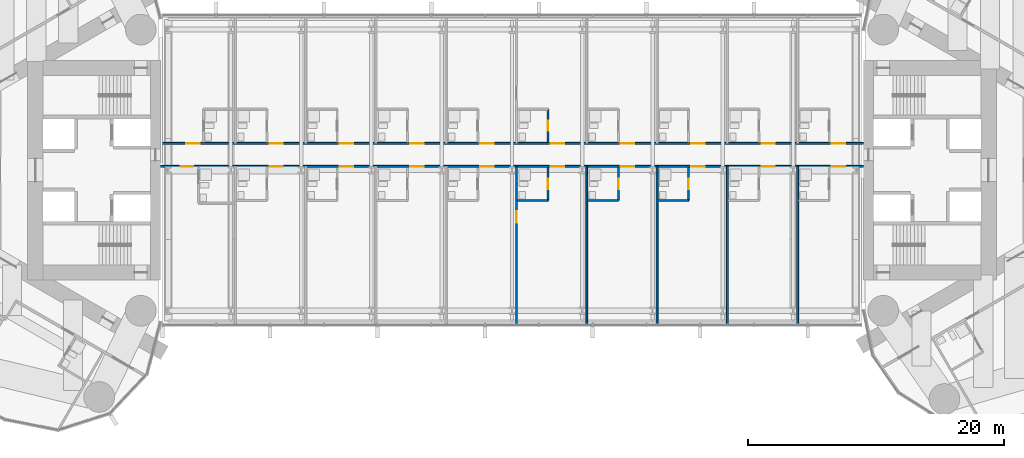
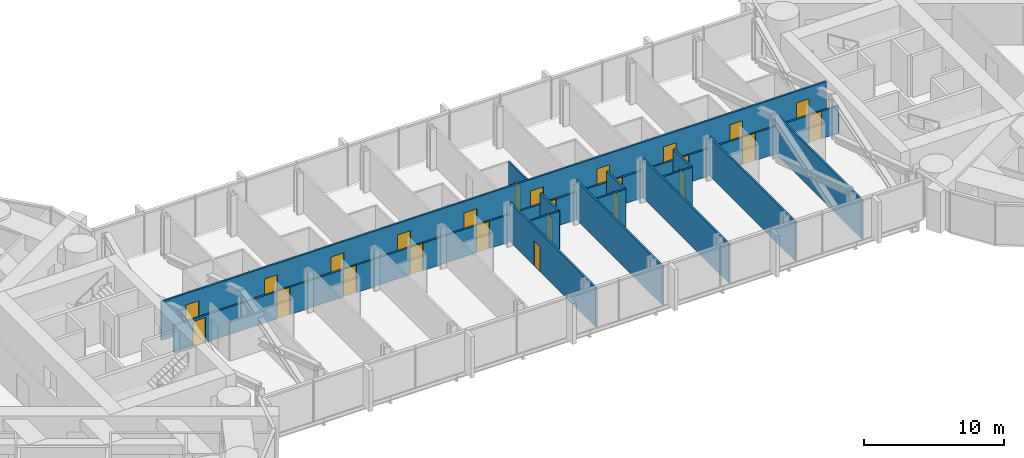
# One storey, part 17 of 23: 25 doors, 14 walls, 25 openings.
"""IFC4 building model written with IfcOpenShell, lengths in metres."""

from ifc_helpers import new_model, si_unit, direction, frame, frame_2d, origin, place, context, subcontext, project, spatial, rectangle, extrude, material, layer, layer_set, type_object, element, fill, save


model = new_model("IFC4")

# Units and contexts
model_context = context("Model", 3, precision=1e-05, world=origin(), true_north=direction((0.0, 1.0)))
body_context = subcontext(model_context, "Body", "Model", "MODEL_VIEW")
ifc_project = project(units=[si_unit("LENGTHUNIT", "METRE"), si_unit("AREAUNIT", "SQUARE_METRE"), si_unit("VOLUMEUNIT", "CUBIC_METRE"), si_unit("PLANEANGLEUNIT", "RADIAN"), si_unit("MASSUNIT", "GRAM", prefix="KILO")], contexts=[model_context])

# Site, building, storey
site_placement = place(None, origin())
site = spatial("IfcSite", under=ifc_project, at=site_placement, CompositionType="ELEMENT")
building_placement = place(site_placement, origin())
building = spatial("IfcBuilding", under=site, at=building_placement, Name="Lancet Gate Hotel", CompositionType="ELEMENT")
storey_placement = place(building_placement, frame((0.0, 0.0, 218.89990234375)))
storey = spatial("IfcBuildingStorey", under=building, at=storey_placement, Name="L58", CompositionType="ELEMENT", Elevation=218.89990234375)

# Wall
ifc_material_1 = material(Name="Moisture resistant board partition")
ifc_layer_1 = layer(ifc_material_1, 0.14990234375)
ifc_layer_set_1 = layer_set([ifc_layer_1], Name="Bathroom wall 150")
wall_type_1 = type_object("IfcWallType", Name="Bathroom wall 150", PredefinedType="PARTITIONING", material=ifc_layer_set_1)
wall_1_placement = place(storey_placement, frame((0.425048828125, -2.375, 0.0), z_axis=(0.0, 0.0, 1.0), x_axis=(1.0, 0.0, 0.0)))
element("IfcWall", 1, at=wall_1_placement, inside=storey, type_object=wall_type_1, Name="Bridge block bathroom wall 150 L58", PredefinedType="PARTITIONING", context=body_context, shape_type="SweptSolid", body=[
    extrude(rectangle(XDim=2.39990234375, YDim=0.14990234375, at=frame_2d((1.199951171875, 0.0))), origin(), (0.0, 0.0, 1.0), 3.400146484375),
])

# Wall, opening, door
wall_2_placement = place(storey_placement, frame((2.824951171875, -2.375, 0.0), z_axis=(0.0, 0.0, 1.0), x_axis=(0.0, 1.0, 0.0)))
wall_2 = element("IfcWall", 2, at=wall_2_placement, inside=storey, type_object=wall_type_1, Name="Bridge block bathroom wall 150 L58", PredefinedType="PARTITIONING", context=body_context, shape_type="SweptSolid", body=[
    extrude(rectangle(XDim=2.60009765625, YDim=0.14990234375, at=frame_2d((1.300048828125, 0.0))), origin(), (0.0, 0.0, 1.0), 3.400146484375),
])
opening_1_placement = place(wall_2_placement, frame((0.89990234375, 0.0, 0.0)))
opening_1 = element("IfcOpeningElement", 3, at=opening_1_placement, cuts=wall_2, Name="Opening B5806-B", PredefinedType="OPENING", context=body_context, shape_type="SweptSolid", body=[
    extrude(rectangle(XDim=0.800048828125, YDim=2.199951171875, at=frame_2d((0.39990234375, 1.10009765625))), frame((0.0, 0.0849609375, 0.0), z_axis=(0.0, -1.0, 0.0), x_axis=(1.0, 0.0, 0.0)), (0.0, 0.0, 1.0), 0.169921875),
])
ifc_material_2 = material(Name="Timber door set", Category="wood")
door_type_1 = type_object("IfcDoorType", Name="Bathroom door 800", OperationType="SINGLE_SWING_RIGHT", PredefinedType="DOOR", material=ifc_material_2)
door_1_placement = place(opening_1_placement, origin())
door_1 = element("IfcDoor", 4, at=door_1_placement, inside=storey, type_object=door_type_1, Name="B5806-B", OperationType="SINGLE_SWING_RIGHT", OverallHeight=2.199951171875, OverallWidth=0.800048828125, PredefinedType="DOOR", context=body_context, shape_type="SweptSolid", body=[
    extrude(rectangle(XDim=0.800048828125, YDim=2.199951171875, at=frame_2d((0.39990234375, 1.10009765625))), frame((0.0, 0.02490234375, 0.0), z_axis=(0.0, -1.0, 0.0), x_axis=(1.0, 0.0, 0.0)), (0.0, 0.0, 1.0), 0.050048828125),
])
fill(opening_1, door_1)

# Wall
wall_3_placement = place(storey_placement, frame((5.925048828125, -2.375, 0.0), z_axis=(0.0, 0.0, 1.0), x_axis=(1.0, 0.0, 0.0)))
element("IfcWall", 5, at=wall_3_placement, inside=storey, type_object=wall_type_1, Name="Bridge block bathroom wall 150 L58", PredefinedType="PARTITIONING", context=body_context, shape_type="SweptSolid", body=[
    extrude(rectangle(XDim=2.39990234375, YDim=0.14990234375, at=frame_2d((1.199951171875, 0.0))), origin(), (0.0, 0.0, 1.0), 3.400146484375),
])

# Wall, opening, door
wall_4_placement = place(storey_placement, frame((8.324951171875, -2.375, 0.0), z_axis=(0.0, 0.0, 1.0), x_axis=(0.0, 1.0, 0.0)))
wall_4 = element("IfcWall", 6, at=wall_4_placement, inside=storey, type_object=wall_type_1, Name="Bridge block bathroom wall 150 L58", PredefinedType="PARTITIONING", context=body_context, shape_type="SweptSolid", body=[
    extrude(rectangle(XDim=2.60009765625, YDim=0.14990234375, at=frame_2d((1.300048828125, 0.0))), origin(), (0.0, 0.0, 1.0), 3.400146484375),
])
opening_2_placement = place(wall_4_placement, frame((0.89990234375, 0.0, 0.0)))
opening_2 = element("IfcOpeningElement", 7, at=opening_2_placement, cuts=wall_4, Name="Opening B5807-B", PredefinedType="OPENING", context=body_context, shape_type="SweptSolid", body=[
    extrude(rectangle(XDim=0.800048828125, YDim=2.199951171875, at=frame_2d((0.39990234375, 1.10009765625))), frame((0.0, 0.0849609375, 0.0), z_axis=(0.0, -1.0, 0.0), x_axis=(1.0, 0.0, 0.0)), (0.0, 0.0, 1.0), 0.169921875),
])
door_2_placement = place(opening_2_placement, origin())
door_2 = element("IfcDoor", 8, at=door_2_placement, inside=storey, type_object=door_type_1, Name="B5807-B", OperationType="SINGLE_SWING_RIGHT", OverallHeight=2.199951171875, OverallWidth=0.800048828125, PredefinedType="DOOR", context=body_context, shape_type="SweptSolid", body=[
    extrude(rectangle(XDim=0.800048828125, YDim=2.199951171875, at=frame_2d((0.39990234375, 1.10009765625))), frame((0.0, 0.02490234375, 0.0), z_axis=(0.0, -1.0, 0.0), x_axis=(1.0, 0.0, 0.0)), (0.0, 0.0, 1.0), 0.050048828125),
])
fill(opening_2, door_2)

# Wall
wall_5_placement = place(storey_placement, frame((11.425048828125, -2.375, 0.0), z_axis=(0.0, 0.0, 1.0), x_axis=(1.0, 0.0, 0.0)))
element("IfcWall", 9, at=wall_5_placement, inside=storey, type_object=wall_type_1, Name="Bridge block bathroom wall 150 L58", PredefinedType="PARTITIONING", context=body_context, shape_type="SweptSolid", body=[
    extrude(rectangle(XDim=2.39990234375, YDim=0.14990234375, at=frame_2d((1.199951171875, 0.0))), origin(), (0.0, 0.0, 1.0), 3.400146484375),
])

# Wall, opening, door
wall_6_placement = place(storey_placement, frame((13.824951171875, -2.375, 0.0), z_axis=(0.0, 0.0, 1.0), x_axis=(0.0, 1.0, 0.0)))
wall_6 = element("IfcWall", 10, at=wall_6_placement, inside=storey, type_object=wall_type_1, Name="Bridge block bathroom wall 150 L58", PredefinedType="PARTITIONING", context=body_context, shape_type="SweptSolid", body=[
    extrude(rectangle(XDim=2.60009765625, YDim=0.14990234375, at=frame_2d((1.300048828125, 0.0))), origin(), (0.0, 0.0, 1.0), 3.400146484375),
])
opening_3_placement = place(wall_6_placement, frame((0.89990234375, 0.0, 0.0)))
opening_3 = element("IfcOpeningElement", 11, at=opening_3_placement, cuts=wall_6, Name="Opening B5808-B", PredefinedType="OPENING", context=body_context, shape_type="SweptSolid", body=[
    extrude(rectangle(XDim=0.800048828125, YDim=2.199951171875, at=frame_2d((0.39990234375, 1.10009765625))), frame((0.0, 0.0849609375, 0.0), z_axis=(0.0, -1.0, 0.0), x_axis=(1.0, 0.0, 0.0)), (0.0, 0.0, 1.0), 0.169921875),
])
door_3_placement = place(opening_3_placement, origin())
door_3 = element("IfcDoor", 12, at=door_3_placement, inside=storey, type_object=door_type_1, Name="B5808-B", OperationType="SINGLE_SWING_RIGHT", OverallHeight=2.199951171875, OverallWidth=0.800048828125, PredefinedType="DOOR", context=body_context, shape_type="SweptSolid", body=[
    extrude(rectangle(XDim=0.800048828125, YDim=2.199951171875, at=frame_2d((0.39990234375, 1.10009765625))), frame((0.0, 0.02490234375, 0.0), z_axis=(0.0, -1.0, 0.0), x_axis=(1.0, 0.0, 0.0)), (0.0, 0.0, 1.0), 0.050048828125),
])
fill(opening_3, door_3)

wall_7_placement = place(storey_placement, frame((2.824951171875, 2.175048828125, 0.0), z_axis=(0.0, 0.0, 1.0), x_axis=(0.0, 1.0, 0.0)))
wall_7 = element("IfcWall", 13, at=wall_7_placement, inside=storey, type_object=wall_type_1, Name="Bridge block bathroom wall 150 L58", PredefinedType="PARTITIONING", context=body_context, shape_type="SweptSolid", body=[
    extrude(rectangle(XDim=2.599853515625, YDim=0.14990234375, at=frame_2d((1.2998046875, 0.0))), origin(), (0.0, 0.0, 1.0), 3.400146484375),
])
opening_4_placement = place(wall_7_placement, frame((0.89990234375, 0.0, 0.0)))
opening_4 = element("IfcOpeningElement", 14, at=opening_4_placement, cuts=wall_7, Name="Opening B5816-B", PredefinedType="OPENING", context=body_context, shape_type="SweptSolid", body=[
    extrude(rectangle(XDim=0.800048828125, YDim=2.199951171875, at=frame_2d((0.39990234375, 1.10009765625))), frame((0.0, 0.0849609375, 0.0), z_axis=(0.0, -1.0, 0.0), x_axis=(1.0, 0.0, 0.0)), (0.0, 0.0, 1.0), 0.169921875),
])
door_4_placement = place(opening_4_placement, origin())
door_4 = element("IfcDoor", 15, at=door_4_placement, inside=storey, type_object=door_type_1, Name="B5816-B", OperationType="SINGLE_SWING_RIGHT", OverallHeight=2.199951171875, OverallWidth=0.800048828125, PredefinedType="DOOR", context=body_context, shape_type="SweptSolid", body=[
    extrude(rectangle(XDim=0.800048828125, YDim=2.199951171875, at=frame_2d((0.39990234375, 1.10009765625))), frame((0.0, 0.02490234375, 0.0), z_axis=(0.0, -1.0, 0.0), x_axis=(1.0, 0.0, 0.0)), (0.0, 0.0, 1.0), 0.050048828125),
])
fill(opening_4, door_4)

# Wall, openings, doors
ifc_material_3 = material(Name="Gypsum board partition")
ifc_layer_2 = layer(ifc_material_3, 0.14990234375)
ifc_layer_set_2 = layer_set([ifc_layer_2], Name="Block corridor wall 150")
wall_type_2 = type_object("IfcWallType", Name="Block corridor wall 150", PredefinedType="PARTITIONING", material=ifc_layer_set_2)
wall_8_placement = place(storey_placement, frame((-27.5, 0.300048828125, 0.0), z_axis=(0.0, 0.0, 1.0), x_axis=(1.0, 0.0, 0.0)))
wall_8 = element("IfcWall", 16, at=wall_8_placement, inside=storey, type_object=wall_type_2, Name="Bridge block block corridor wall 150 L58", PredefinedType="PARTITIONING", context=body_context, shape_type="SweptSolid", body=[
    extrude(rectangle(XDim=55.0, YDim=0.14990234375, at=frame_2d((27.5, 0.0))), origin(), (0.0, 0.0, 1.0), 2.400146484375),
])
opening_5_placement = place(wall_8_placement, frame((1.574951171875, 0.0, 0.0)))
opening_5 = element("IfcOpeningElement", 17, at=opening_5_placement, cuts=wall_8, Name="Opening B5801", PredefinedType="OPENING", context=body_context, shape_type="SweptSolid", body=[
    extrude(rectangle(XDim=1.0, YDim=2.199951171875, at=frame_2d((0.5, 1.10009765625))), frame((0.0, 0.0849609375, 0.0), z_axis=(0.0, -1.0, 0.0), x_axis=(1.0, 0.0, 0.0)), (0.0, 0.0, 1.0), 0.169921875),
])
opening_6_placement = place(wall_8_placement, frame((8.52490234375, 0.0, 0.0)))
opening_6 = element("IfcOpeningElement", 18, at=opening_6_placement, cuts=wall_8, Name="Opening B5802", PredefinedType="OPENING", context=body_context, shape_type="SweptSolid", body=[
    extrude(rectangle(XDim=1.050048828125, YDim=2.39990234375, at=frame_2d((0.52490234375, 1.199951171875))), frame((0.0, 0.0849609375, 0.0), z_axis=(0.0, -1.0, 0.0), x_axis=(1.0, 0.0, 0.0)), (0.0, 0.0, 1.0), 0.169921875),
])
opening_7_placement = place(wall_8_placement, frame((14.02490234375, 0.0, 0.0)))
opening_7 = element("IfcOpeningElement", 19, at=opening_7_placement, cuts=wall_8, Name="Opening B5803", PredefinedType="OPENING", context=body_context, shape_type="SweptSolid", body=[
    extrude(rectangle(XDim=1.050048828125, YDim=2.39990234375, at=frame_2d((0.52490234375, 1.199951171875))), frame((0.0, 0.0849609375, 0.0), z_axis=(0.0, -1.0, 0.0), x_axis=(1.0, 0.0, 0.0)), (0.0, 0.0, 1.0), 0.169921875),
])
opening_8_placement = place(wall_8_placement, frame((19.52490234375, 0.0, 0.0)))
opening_8 = element("IfcOpeningElement", 20, at=opening_8_placement, cuts=wall_8, Name="Opening B5804", PredefinedType="OPENING", context=body_context, shape_type="SweptSolid", body=[
    extrude(rectangle(XDim=1.050048828125, YDim=2.39990234375, at=frame_2d((0.52490234375, 1.199951171875))), frame((0.0, 0.0849609375, 0.0), z_axis=(0.0, -1.0, 0.0), x_axis=(1.0, 0.0, 0.0)), (0.0, 0.0, 1.0), 0.169921875),
])
opening_9_placement = place(wall_8_placement, frame((25.02490234375, 0.0, 0.0)))
opening_9 = element("IfcOpeningElement", 21, at=opening_9_placement, cuts=wall_8, Name="Opening B5805", PredefinedType="OPENING", context=body_context, shape_type="SweptSolid", body=[
    extrude(rectangle(XDim=1.050048828125, YDim=2.39990234375, at=frame_2d((0.52490234375, 1.199951171875))), frame((0.0, 0.0849609375, 0.0), z_axis=(0.0, -1.0, 0.0), x_axis=(1.0, 0.0, 0.0)), (0.0, 0.0, 1.0), 0.169921875),
])
opening_10_placement = place(wall_8_placement, frame((30.52490234375, 0.0, 0.0)))
opening_10 = element("IfcOpeningElement", 22, at=opening_10_placement, cuts=wall_8, Name="Opening B5806", PredefinedType="OPENING", context=body_context, shape_type="SweptSolid", body=[
    extrude(rectangle(XDim=1.050048828125, YDim=2.39990234375, at=frame_2d((0.52490234375, 1.199951171875))), frame((0.0, 0.0849609375, 0.0), z_axis=(0.0, -1.0, 0.0), x_axis=(1.0, 0.0, 0.0)), (0.0, 0.0, 1.0), 0.169921875),
])
opening_11_placement = place(wall_8_placement, frame((36.02490234375, 0.0, 0.0)))
opening_11 = element("IfcOpeningElement", 23, at=opening_11_placement, cuts=wall_8, Name="Opening B5807", PredefinedType="OPENING", context=body_context, shape_type="SweptSolid", body=[
    extrude(rectangle(XDim=1.050048828125, YDim=2.39990234375, at=frame_2d((0.52490234375, 1.199951171875))), frame((0.0, 0.0849609375, 0.0), z_axis=(0.0, -1.0, 0.0), x_axis=(1.0, 0.0, 0.0)), (0.0, 0.0, 1.0), 0.169921875),
])
opening_12_placement = place(wall_8_placement, frame((41.52490234375, 0.0, 0.0)))
opening_12 = element("IfcOpeningElement", 24, at=opening_12_placement, cuts=wall_8, Name="Opening B5808", PredefinedType="OPENING", context=body_context, shape_type="SweptSolid", body=[
    extrude(rectangle(XDim=1.050048828125, YDim=2.39990234375, at=frame_2d((0.52490234375, 1.199951171875))), frame((0.0, 0.0849609375, 0.0), z_axis=(0.0, -1.0, 0.0), x_axis=(1.0, 0.0, 0.0)), (0.0, 0.0, 1.0), 0.169921875),
])
opening_13_placement = place(wall_8_placement, frame((47.02490234375, 0.0, 0.0)))
opening_13 = element("IfcOpeningElement", 25, at=opening_13_placement, cuts=wall_8, Name="Opening B5809", PredefinedType="OPENING", context=body_context, shape_type="SweptSolid", body=[
    extrude(rectangle(XDim=1.050048828125, YDim=2.39990234375, at=frame_2d((0.52490234375, 1.199951171875))), frame((0.0, 0.0849609375, 0.0), z_axis=(0.0, -1.0, 0.0), x_axis=(1.0, 0.0, 0.0)), (0.0, 0.0, 1.0), 0.169921875),
])
opening_14_placement = place(wall_8_placement, frame((52.52490234375, 0.0, 0.0)))
opening_14 = element("IfcOpeningElement", 26, at=opening_14_placement, cuts=wall_8, Name="Opening B5810", PredefinedType="OPENING", context=body_context, shape_type="SweptSolid", body=[
    extrude(rectangle(XDim=1.050048828125, YDim=2.39990234375, at=frame_2d((0.52490234375, 1.199951171875))), frame((0.0, 0.0849609375, 0.0), z_axis=(0.0, -1.0, 0.0), x_axis=(1.0, 0.0, 0.0)), (0.0, 0.0, 1.0), 0.169921875),
])
ifc_material_4 = material(Name="Timber door set", Category="wood")
door_type_2 = type_object("IfcDoorType", Name="Accessible guest room door 1000", OperationType="SINGLE_SWING_LEFT", PredefinedType="DOOR", material=ifc_material_4)
door_5_placement = place(opening_5_placement, origin())
door_5 = element("IfcDoor", 27, at=door_5_placement, inside=storey, type_object=door_type_2, Name="B5801", OperationType="SINGLE_SWING_LEFT", OverallHeight=2.199951171875, OverallWidth=1.0, PredefinedType="DOOR", context=body_context, shape_type="SweptSolid", body=[
    extrude(rectangle(XDim=1.0, YDim=2.199951171875, at=frame_2d((0.5, 1.10009765625))), frame((0.0, 0.02490234375, 0.0), z_axis=(0.0, -1.0, 0.0), x_axis=(1.0, 0.0, 0.0)), (0.0, 0.0, 1.0), 0.050048828125),
])
fill(opening_5, door_5)
ifc_material_5 = material(Name="Timber door set", Category="wood")
door_type_3 = type_object("IfcDoorType", Name="Suite entry door 1050", OperationType="SINGLE_SWING_LEFT", PredefinedType="DOOR", material=ifc_material_5)
door_6_placement = place(opening_6_placement, origin())
door_6 = element("IfcDoor", 28, at=door_6_placement, inside=storey, type_object=door_type_3, Name="B5802", OperationType="SINGLE_SWING_LEFT", OverallHeight=2.39990234375, OverallWidth=1.050048828125, PredefinedType="DOOR", context=body_context, shape_type="SweptSolid", body=[
    extrude(rectangle(XDim=1.050048828125, YDim=2.39990234375, at=frame_2d((0.52490234375, 1.199951171875))), frame((0.0, 0.02490234375, 0.0), z_axis=(0.0, -1.0, 0.0), x_axis=(1.0, 0.0, 0.0)), (0.0, 0.0, 1.0), 0.050048828125),
])
fill(opening_6, door_6)
door_7_placement = place(opening_7_placement, origin())
door_7 = element("IfcDoor", 29, at=door_7_placement, inside=storey, type_object=door_type_3, Name="B5803", OperationType="SINGLE_SWING_LEFT", OverallHeight=2.39990234375, OverallWidth=1.050048828125, PredefinedType="DOOR", context=body_context, shape_type="SweptSolid", body=[
    extrude(rectangle(XDim=1.050048828125, YDim=2.39990234375, at=frame_2d((0.52490234375, 1.199951171875))), frame((0.0, 0.02490234375, 0.0), z_axis=(0.0, -1.0, 0.0), x_axis=(1.0, 0.0, 0.0)), (0.0, 0.0, 1.0), 0.050048828125),
])
fill(opening_7, door_7)
door_8_placement = place(opening_8_placement, origin())
door_8 = element("IfcDoor", 30, at=door_8_placement, inside=storey, type_object=door_type_3, Name="B5804", OperationType="SINGLE_SWING_LEFT", OverallHeight=2.39990234375, OverallWidth=1.050048828125, PredefinedType="DOOR", context=body_context, shape_type="SweptSolid", body=[
    extrude(rectangle(XDim=1.050048828125, YDim=2.39990234375, at=frame_2d((0.52490234375, 1.199951171875))), frame((0.0, 0.02490234375, 0.0), z_axis=(0.0, -1.0, 0.0), x_axis=(1.0, 0.0, 0.0)), (0.0, 0.0, 1.0), 0.050048828125),
])
fill(opening_8, door_8)
door_9_placement = place(opening_9_placement, origin())
door_9 = element("IfcDoor", 31, at=door_9_placement, inside=storey, type_object=door_type_3, Name="B5805", OperationType="SINGLE_SWING_LEFT", OverallHeight=2.39990234375, OverallWidth=1.050048828125, PredefinedType="DOOR", context=body_context, shape_type="SweptSolid", body=[
    extrude(rectangle(XDim=1.050048828125, YDim=2.39990234375, at=frame_2d((0.52490234375, 1.199951171875))), frame((0.0, 0.02490234375, 0.0), z_axis=(0.0, -1.0, 0.0), x_axis=(1.0, 0.0, 0.0)), (0.0, 0.0, 1.0), 0.050048828125),
])
fill(opening_9, door_9)
door_10_placement = place(opening_10_placement, origin())
door_10 = element("IfcDoor", 32, at=door_10_placement, inside=storey, type_object=door_type_3, Name="B5806", OperationType="SINGLE_SWING_LEFT", OverallHeight=2.39990234375, OverallWidth=1.050048828125, PredefinedType="DOOR", context=body_context, shape_type="SweptSolid", body=[
    extrude(rectangle(XDim=1.050048828125, YDim=2.39990234375, at=frame_2d((0.52490234375, 1.199951171875))), frame((0.0, 0.02490234375, 0.0), z_axis=(0.0, -1.0, 0.0), x_axis=(1.0, 0.0, 0.0)), (0.0, 0.0, 1.0), 0.050048828125),
])
fill(opening_10, door_10)
door_11_placement = place(opening_11_placement, origin())
door_11 = element("IfcDoor", 33, at=door_11_placement, inside=storey, type_object=door_type_3, Name="B5807", OperationType="SINGLE_SWING_LEFT", OverallHeight=2.39990234375, OverallWidth=1.050048828125, PredefinedType="DOOR", context=body_context, shape_type="SweptSolid", body=[
    extrude(rectangle(XDim=1.050048828125, YDim=2.39990234375, at=frame_2d((0.52490234375, 1.199951171875))), frame((0.0, 0.02490234375, 0.0), z_axis=(0.0, -1.0, 0.0), x_axis=(1.0, 0.0, 0.0)), (0.0, 0.0, 1.0), 0.050048828125),
])
fill(opening_11, door_11)
door_12_placement = place(opening_12_placement, origin())
door_12 = element("IfcDoor", 34, at=door_12_placement, inside=storey, type_object=door_type_3, Name="B5808", OperationType="SINGLE_SWING_LEFT", OverallHeight=2.39990234375, OverallWidth=1.050048828125, PredefinedType="DOOR", context=body_context, shape_type="SweptSolid", body=[
    extrude(rectangle(XDim=1.050048828125, YDim=2.39990234375, at=frame_2d((0.52490234375, 1.199951171875))), frame((0.0, 0.02490234375, 0.0), z_axis=(0.0, -1.0, 0.0), x_axis=(1.0, 0.0, 0.0)), (0.0, 0.0, 1.0), 0.050048828125),
])
fill(opening_12, door_12)
door_13_placement = place(opening_13_placement, origin())
door_13 = element("IfcDoor", 35, at=door_13_placement, inside=storey, type_object=door_type_3, Name="B5809", OperationType="SINGLE_SWING_LEFT", OverallHeight=2.39990234375, OverallWidth=1.050048828125, PredefinedType="DOOR", context=body_context, shape_type="SweptSolid", body=[
    extrude(rectangle(XDim=1.050048828125, YDim=2.39990234375, at=frame_2d((0.52490234375, 1.199951171875))), frame((0.0, 0.02490234375, 0.0), z_axis=(0.0, -1.0, 0.0), x_axis=(1.0, 0.0, 0.0)), (0.0, 0.0, 1.0), 0.050048828125),
])
fill(opening_13, door_13)
door_14_placement = place(opening_14_placement, origin())
door_14 = element("IfcDoor", 36, at=door_14_placement, inside=storey, type_object=door_type_3, Name="B5810", OperationType="SINGLE_SWING_LEFT", OverallHeight=2.39990234375, OverallWidth=1.050048828125, PredefinedType="DOOR", context=body_context, shape_type="SweptSolid", body=[
    extrude(rectangle(XDim=1.050048828125, YDim=2.39990234375, at=frame_2d((0.52490234375, 1.199951171875))), frame((0.0, 0.02490234375, 0.0), z_axis=(0.0, -1.0, 0.0), x_axis=(1.0, 0.0, 0.0)), (0.0, 0.0, 1.0), 0.050048828125),
])
fill(opening_14, door_14)

wall_9_placement = place(storey_placement, frame((-27.5, 2.10009765625, 0.0), z_axis=(0.0, 0.0, 1.0), x_axis=(1.0, 0.0, 0.0)))
wall_9 = element("IfcWall", 37, at=wall_9_placement, inside=storey, type_object=wall_type_2, Name="Bridge block block corridor wall 150 L58", PredefinedType="PARTITIONING", context=body_context, shape_type="SweptSolid", body=[
    extrude(rectangle(XDim=55.0, YDim=0.14990234375, at=frame_2d((27.5, 0.0))), origin(), (0.0, 0.0, 1.0), 3.400146484375),
])
opening_15_placement = place(wall_9_placement, frame((2.02490234375, 0.0, 0.0)))
opening_15 = element("IfcOpeningElement", 38, at=opening_15_placement, cuts=wall_9, Name="Opening B5811", PredefinedType="OPENING", context=body_context, shape_type="SweptSolid", body=[
    extrude(rectangle(XDim=1.050048828125, YDim=2.39990234375, at=frame_2d((0.52490234375, 1.199951171875))), frame((0.0, 0.0849609375, 0.0), z_axis=(0.0, -1.0, 0.0), x_axis=(1.0, 0.0, 0.0)), (0.0, 0.0, 1.0), 0.169921875),
])
opening_16_placement = place(wall_9_placement, frame((8.52490234375, 0.0, 0.0)))
opening_16 = element("IfcOpeningElement", 39, at=opening_16_placement, cuts=wall_9, Name="Opening B5812", PredefinedType="OPENING", context=body_context, shape_type="SweptSolid", body=[
    extrude(rectangle(XDim=1.050048828125, YDim=2.39990234375, at=frame_2d((0.52490234375, 1.199951171875))), frame((0.0, 0.0849609375, 0.0), z_axis=(0.0, -1.0, 0.0), x_axis=(1.0, 0.0, 0.0)), (0.0, 0.0, 1.0), 0.169921875),
])
opening_17_placement = place(wall_9_placement, frame((14.02490234375, 0.0, 0.0)))
opening_17 = element("IfcOpeningElement", 40, at=opening_17_placement, cuts=wall_9, Name="Opening B5813", PredefinedType="OPENING", context=body_context, shape_type="SweptSolid", body=[
    extrude(rectangle(XDim=1.050048828125, YDim=2.39990234375, at=frame_2d((0.52490234375, 1.199951171875))), frame((0.0, 0.0849609375, 0.0), z_axis=(0.0, -1.0, 0.0), x_axis=(1.0, 0.0, 0.0)), (0.0, 0.0, 1.0), 0.169921875),
])
opening_18_placement = place(wall_9_placement, frame((19.52490234375, 0.0, 0.0)))
opening_18 = element("IfcOpeningElement", 41, at=opening_18_placement, cuts=wall_9, Name="Opening B5814", PredefinedType="OPENING", context=body_context, shape_type="SweptSolid", body=[
    extrude(rectangle(XDim=1.050048828125, YDim=2.39990234375, at=frame_2d((0.52490234375, 1.199951171875))), frame((0.0, 0.0849609375, 0.0), z_axis=(0.0, -1.0, 0.0), x_axis=(1.0, 0.0, 0.0)), (0.0, 0.0, 1.0), 0.169921875),
])
opening_19_placement = place(wall_9_placement, frame((25.02490234375, 0.0, 0.0)))
opening_19 = element("IfcOpeningElement", 42, at=opening_19_placement, cuts=wall_9, Name="Opening B5815", PredefinedType="OPENING", context=body_context, shape_type="SweptSolid", body=[
    extrude(rectangle(XDim=1.050048828125, YDim=2.39990234375, at=frame_2d((0.52490234375, 1.199951171875))), frame((0.0, 0.0849609375, 0.0), z_axis=(0.0, -1.0, 0.0), x_axis=(1.0, 0.0, 0.0)), (0.0, 0.0, 1.0), 0.169921875),
])
opening_20_placement = place(wall_9_placement, frame((30.52490234375, 0.0, 0.0)))
opening_20 = element("IfcOpeningElement", 43, at=opening_20_placement, cuts=wall_9, Name="Opening B5816", PredefinedType="OPENING", context=body_context, shape_type="SweptSolid", body=[
    extrude(rectangle(XDim=1.050048828125, YDim=2.39990234375, at=frame_2d((0.52490234375, 1.199951171875))), frame((0.0, 0.0849609375, 0.0), z_axis=(0.0, -1.0, 0.0), x_axis=(1.0, 0.0, 0.0)), (0.0, 0.0, 1.0), 0.169921875),
])
opening_21_placement = place(wall_9_placement, frame((36.02490234375, 0.0, 0.0)))
opening_21 = element("IfcOpeningElement", 44, at=opening_21_placement, cuts=wall_9, Name="Opening B5817", PredefinedType="OPENING", context=body_context, shape_type="SweptSolid", body=[
    extrude(rectangle(XDim=1.050048828125, YDim=2.39990234375, at=frame_2d((0.52490234375, 1.199951171875))), frame((0.0, 0.0849609375, 0.0), z_axis=(0.0, -1.0, 0.0), x_axis=(1.0, 0.0, 0.0)), (0.0, 0.0, 1.0), 0.169921875),
])
opening_22_placement = place(wall_9_placement, frame((41.52490234375, 0.0, 0.0)))
opening_22 = element("IfcOpeningElement", 45, at=opening_22_placement, cuts=wall_9, Name="Opening B5818", PredefinedType="OPENING", context=body_context, shape_type="SweptSolid", body=[
    extrude(rectangle(XDim=1.050048828125, YDim=2.39990234375, at=frame_2d((0.52490234375, 1.199951171875))), frame((0.0, 0.0849609375, 0.0), z_axis=(0.0, -1.0, 0.0), x_axis=(1.0, 0.0, 0.0)), (0.0, 0.0, 1.0), 0.169921875),
])
opening_23_placement = place(wall_9_placement, frame((47.02490234375, 0.0, 0.0)))
opening_23 = element("IfcOpeningElement", 46, at=opening_23_placement, cuts=wall_9, Name="Opening B5819", PredefinedType="OPENING", context=body_context, shape_type="SweptSolid", body=[
    extrude(rectangle(XDim=1.050048828125, YDim=2.39990234375, at=frame_2d((0.52490234375, 1.199951171875))), frame((0.0, 0.0849609375, 0.0), z_axis=(0.0, -1.0, 0.0), x_axis=(1.0, 0.0, 0.0)), (0.0, 0.0, 1.0), 0.169921875),
])
opening_24_placement = place(wall_9_placement, frame((52.52490234375, 0.0, 0.0)))
opening_24 = element("IfcOpeningElement", 47, at=opening_24_placement, cuts=wall_9, Name="Opening B5820", PredefinedType="OPENING", context=body_context, shape_type="SweptSolid", body=[
    extrude(rectangle(XDim=1.050048828125, YDim=2.39990234375, at=frame_2d((0.52490234375, 1.199951171875))), frame((0.0, 0.0849609375, 0.0), z_axis=(0.0, -1.0, 0.0), x_axis=(1.0, 0.0, 0.0)), (0.0, 0.0, 1.0), 0.169921875),
])
door_15_placement = place(opening_15_placement, origin())
door_15 = element("IfcDoor", 48, at=door_15_placement, inside=storey, type_object=door_type_3, Name="B5811", OperationType="SINGLE_SWING_LEFT", OverallHeight=2.39990234375, OverallWidth=1.050048828125, PredefinedType="DOOR", context=body_context, shape_type="SweptSolid", body=[
    extrude(rectangle(XDim=1.050048828125, YDim=2.39990234375, at=frame_2d((0.52490234375, 1.199951171875))), frame((0.0, 0.02490234375, 0.0), z_axis=(0.0, -1.0, 0.0), x_axis=(1.0, 0.0, 0.0)), (0.0, 0.0, 1.0), 0.050048828125),
])
fill(opening_15, door_15)
door_16_placement = place(opening_16_placement, origin())
door_16 = element("IfcDoor", 49, at=door_16_placement, inside=storey, type_object=door_type_3, Name="B5812", OperationType="SINGLE_SWING_LEFT", OverallHeight=2.39990234375, OverallWidth=1.050048828125, PredefinedType="DOOR", context=body_context, shape_type="SweptSolid", body=[
    extrude(rectangle(XDim=1.050048828125, YDim=2.39990234375, at=frame_2d((0.52490234375, 1.199951171875))), frame((0.0, 0.02490234375, 0.0), z_axis=(0.0, -1.0, 0.0), x_axis=(1.0, 0.0, 0.0)), (0.0, 0.0, 1.0), 0.050048828125),
])
fill(opening_16, door_16)
door_17_placement = place(opening_17_placement, origin())
door_17 = element("IfcDoor", 50, at=door_17_placement, inside=storey, type_object=door_type_3, Name="B5813", OperationType="SINGLE_SWING_LEFT", OverallHeight=2.39990234375, OverallWidth=1.050048828125, PredefinedType="DOOR", context=body_context, shape_type="SweptSolid", body=[
    extrude(rectangle(XDim=1.050048828125, YDim=2.39990234375, at=frame_2d((0.52490234375, 1.199951171875))), frame((0.0, 0.02490234375, 0.0), z_axis=(0.0, -1.0, 0.0), x_axis=(1.0, 0.0, 0.0)), (0.0, 0.0, 1.0), 0.050048828125),
])
fill(opening_17, door_17)
door_18_placement = place(opening_18_placement, origin())
door_18 = element("IfcDoor", 51, at=door_18_placement, inside=storey, type_object=door_type_3, Name="B5814", OperationType="SINGLE_SWING_LEFT", OverallHeight=2.39990234375, OverallWidth=1.050048828125, PredefinedType="DOOR", context=body_context, shape_type="SweptSolid", body=[
    extrude(rectangle(XDim=1.050048828125, YDim=2.39990234375, at=frame_2d((0.52490234375, 1.199951171875))), frame((0.0, 0.02490234375, 0.0), z_axis=(0.0, -1.0, 0.0), x_axis=(1.0, 0.0, 0.0)), (0.0, 0.0, 1.0), 0.050048828125),
])
fill(opening_18, door_18)
door_19_placement = place(opening_19_placement, origin())
door_19 = element("IfcDoor", 52, at=door_19_placement, inside=storey, type_object=door_type_3, Name="B5815", OperationType="SINGLE_SWING_LEFT", OverallHeight=2.39990234375, OverallWidth=1.050048828125, PredefinedType="DOOR", context=body_context, shape_type="SweptSolid", body=[
    extrude(rectangle(XDim=1.050048828125, YDim=2.39990234375, at=frame_2d((0.52490234375, 1.199951171875))), frame((0.0, 0.02490234375, 0.0), z_axis=(0.0, -1.0, 0.0), x_axis=(1.0, 0.0, 0.0)), (0.0, 0.0, 1.0), 0.050048828125),
])
fill(opening_19, door_19)
door_20_placement = place(opening_20_placement, origin())
door_20 = element("IfcDoor", 53, at=door_20_placement, inside=storey, type_object=door_type_3, Name="B5816", OperationType="SINGLE_SWING_LEFT", OverallHeight=2.39990234375, OverallWidth=1.050048828125, PredefinedType="DOOR", context=body_context, shape_type="SweptSolid", body=[
    extrude(rectangle(XDim=1.050048828125, YDim=2.39990234375, at=frame_2d((0.52490234375, 1.199951171875))), frame((0.0, 0.02490234375, 0.0), z_axis=(0.0, -1.0, 0.0), x_axis=(1.0, 0.0, 0.0)), (0.0, 0.0, 1.0), 0.050048828125),
])
fill(opening_20, door_20)
door_21_placement = place(opening_21_placement, origin())
door_21 = element("IfcDoor", 54, at=door_21_placement, inside=storey, type_object=door_type_3, Name="B5817", OperationType="SINGLE_SWING_LEFT", OverallHeight=2.39990234375, OverallWidth=1.050048828125, PredefinedType="DOOR", context=body_context, shape_type="SweptSolid", body=[
    extrude(rectangle(XDim=1.050048828125, YDim=2.39990234375, at=frame_2d((0.52490234375, 1.199951171875))), frame((0.0, 0.02490234375, 0.0), z_axis=(0.0, -1.0, 0.0), x_axis=(1.0, 0.0, 0.0)), (0.0, 0.0, 1.0), 0.050048828125),
])
fill(opening_21, door_21)
door_22_placement = place(opening_22_placement, origin())
door_22 = element("IfcDoor", 55, at=door_22_placement, inside=storey, type_object=door_type_3, Name="B5818", OperationType="SINGLE_SWING_LEFT", OverallHeight=2.39990234375, OverallWidth=1.050048828125, PredefinedType="DOOR", context=body_context, shape_type="SweptSolid", body=[
    extrude(rectangle(XDim=1.050048828125, YDim=2.39990234375, at=frame_2d((0.52490234375, 1.199951171875))), frame((0.0, 0.02490234375, 0.0), z_axis=(0.0, -1.0, 0.0), x_axis=(1.0, 0.0, 0.0)), (0.0, 0.0, 1.0), 0.050048828125),
])
fill(opening_22, door_22)
door_23_placement = place(opening_23_placement, origin())
door_23 = element("IfcDoor", 56, at=door_23_placement, inside=storey, type_object=door_type_3, Name="B5819", OperationType="SINGLE_SWING_LEFT", OverallHeight=2.39990234375, OverallWidth=1.050048828125, PredefinedType="DOOR", context=body_context, shape_type="SweptSolid", body=[
    extrude(rectangle(XDim=1.050048828125, YDim=2.39990234375, at=frame_2d((0.52490234375, 1.199951171875))), frame((0.0, 0.02490234375, 0.0), z_axis=(0.0, -1.0, 0.0), x_axis=(1.0, 0.0, 0.0)), (0.0, 0.0, 1.0), 0.050048828125),
])
fill(opening_23, door_23)
door_24_placement = place(opening_24_placement, origin())
door_24 = element("IfcDoor", 57, at=door_24_placement, inside=storey, type_object=door_type_3, Name="B5820", OperationType="SINGLE_SWING_LEFT", OverallHeight=2.39990234375, OverallWidth=1.050048828125, PredefinedType="DOOR", context=body_context, shape_type="SweptSolid", body=[
    extrude(rectangle(XDim=1.050048828125, YDim=2.39990234375, at=frame_2d((0.52490234375, 1.199951171875))), frame((0.0, 0.02490234375, 0.0), z_axis=(0.0, -1.0, 0.0), x_axis=(1.0, 0.0, 0.0)), (0.0, 0.0, 1.0), 0.050048828125),
])
fill(opening_24, door_24)

# Wall, opening, door
ifc_material_6 = material(Name="Gypsum board partition")
ifc_layer_3 = layer(ifc_material_6, 0.14990234375)
ifc_layer_set_3 = layer_set([ifc_layer_3], Name="Party wall 150")
wall_type_3 = type_object("IfcWallType", Name="Party wall 150", PredefinedType="PARTITIONING", material=ifc_layer_set_3)
wall_10_placement = place(storey_placement, frame((0.35009765625, -12.070068359375, 0.0), z_axis=(0.0, 0.0, 1.0), x_axis=(0.0, 1.0, 0.0)))
wall_10 = element("IfcWall", 58, at=wall_10_placement, inside=storey, type_object=wall_type_3, Name="Bridge block party wall 150 L58", PredefinedType="PARTITIONING", context=body_context, shape_type="SweptSolid", body=[
    extrude(rectangle(XDim=12.3701171875, YDim=0.14990234375, at=frame_2d((6.18505859375, 0.0))), origin(), (0.0, 0.0, 1.0), 3.400146484375),
])
opening_25_placement = place(wall_10_placement, frame((7.969970703125, 0.0, 0.0)))
opening_25 = element("IfcOpeningElement", 59, at=opening_25_placement, cuts=wall_10, Name="Opening B5805-C", PredefinedType="OPENING", context=body_context, shape_type="SweptSolid", body=[
    extrude(rectangle(XDim=0.89990234375, YDim=2.199951171875, at=frame_2d((0.449951171875, 1.10009765625))), frame((0.0, 0.0849609375, 0.0), z_axis=(0.0, -1.0, 0.0), x_axis=(1.0, 0.0, 0.0)), (0.0, 0.0, 1.0), 0.169921875),
])
ifc_material_7 = material(Name="Timber door set", Category="wood")
door_type_4 = type_object("IfcDoorType", Name="Connecting door 900", OperationType="SINGLE_SWING_LEFT", PredefinedType="DOOR", material=ifc_material_7)
door_25_placement = place(opening_25_placement, origin())
door_25 = element("IfcDoor", 60, at=door_25_placement, inside=storey, type_object=door_type_4, Name="B5805-C", OperationType="SINGLE_SWING_LEFT", OverallHeight=2.199951171875, OverallWidth=0.89990234375, PredefinedType="DOOR", context=body_context, shape_type="SweptSolid", body=[
    extrude(rectangle(XDim=0.89990234375, YDim=2.199951171875, at=frame_2d((0.449951171875, 1.10009765625))), frame((0.0, 0.02490234375, 0.0), z_axis=(0.0, -1.0, 0.0), x_axis=(1.0, 0.0, 0.0)), (0.0, 0.0, 1.0), 0.050048828125),
])
fill(opening_25, door_25)

# Walls
for number, where, z_axis, x_axis, name in (
    (61, (5.85009765625, -12.070068359375, 0.0), (0.0, 0.0, 1.0), (0.0, 1.0, 0.0), "Bridge block party wall 150 L58"),
    (62, (11.35009765625, -12.070068359375, 0.0), (0.0, 0.0, 1.0), (0.0, 1.0, 0.0), "Bridge block party wall 150 L58"),
    (63, (16.85009765625, -12.070068359375, 0.0), (0.0, 0.0, 1.0), (0.0, 1.0, 0.0), "Bridge block party wall 150 L58"),
    (64, (22.35009765625, -12.070068359375, 0.0), (0.0, 0.0, 1.0), (0.0, 1.0, 0.0), "Bridge block party wall 150 L58"),
):
    element("IfcWall", number, at=place(storey_placement, frame(where, z_axis=z_axis, x_axis=x_axis)), inside=storey, type_object=wall_type_3, Name=name, PredefinedType="PARTITIONING", context=body_context, shape_type="SweptSolid", body=[
        extrude(rectangle(XDim=12.3701171875, YDim=0.14990234375, at=frame_2d((6.18505859375, 0.0))), origin(), (0.0, 0.0, 1.0), 3.400146484375),
    ])

save(model, "model.ifc")
